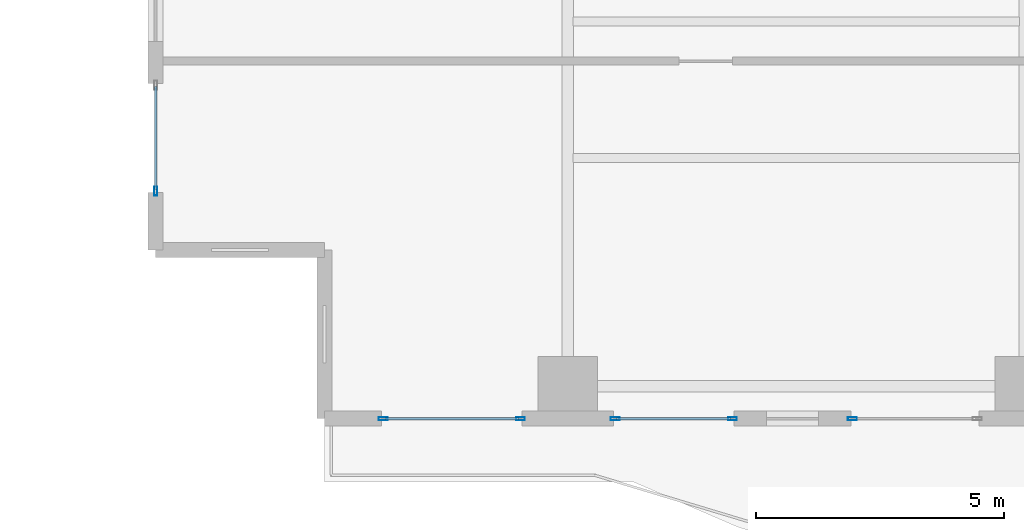
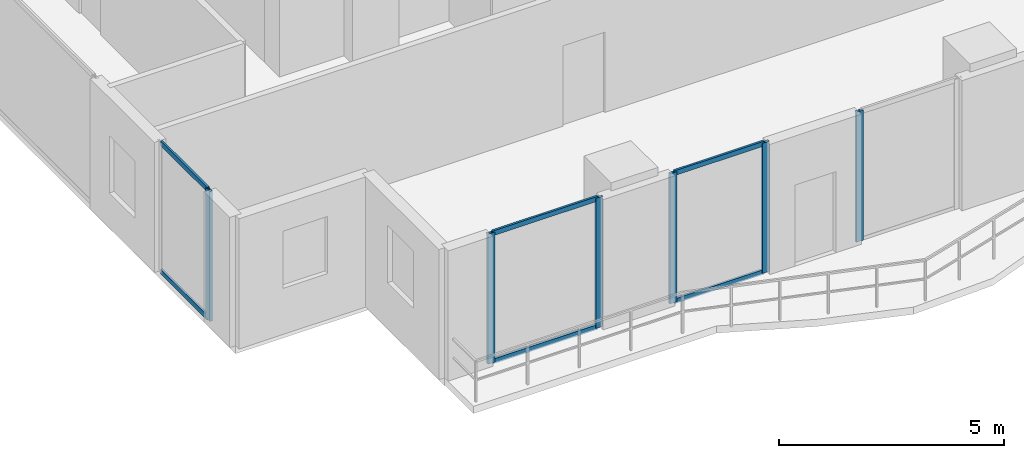
# One storey, part 2 of 33: 12 members, 4 elements without a shape of their own.
"""IFC4 building model written with IfcOpenShell, lengths in metres."""

from ifc_helpers import new_model, si_unit, direction, frame, origin, origin_2d, place, context, subcontext, project, spatial, hollow_rectangle, extrude, material, layer, layer_set, material_profile, profile_set, type_object, element, aggregate, save


model = new_model("IFC4")

# Units and contexts
model_context = context("Model", 3, precision=1e-05, world=origin(), true_north=direction((0.0, 1.0)))
body_context = subcontext(model_context, "Body", "Model", "MODEL_VIEW")
ifc_project = project(units=[si_unit("LENGTHUNIT", "METRE"), si_unit("AREAUNIT", "SQUARE_METRE"), si_unit("VOLUMEUNIT", "CUBIC_METRE"), si_unit("PLANEANGLEUNIT", "RADIAN"), si_unit("MASSUNIT", "GRAM", prefix="KILO")], contexts=[model_context])

# Site, building, storey
site_placement = place(None, origin())
site = spatial("IfcSite", under=ifc_project, at=site_placement, CompositionType="ELEMENT")
building_placement = place(site_placement, origin())
building = spatial("IfcBuilding", under=site, at=building_placement, Name="Zuhayl Quay Hotel", CompositionType="ELEMENT")
storey_placement = place(building_placement, frame((0.0, 0.0, 214.89990234375)))
storey = spatial("IfcBuildingStorey", under=building, at=storey_placement, Name="L54", CompositionType="ELEMENT", Elevation=214.89990234375)

# Curtain wall, member
ifc_material_1 = material(Name="Anodised Aluminium 6063-T6", Category="aluminium")
ifc_layer = layer(ifc_material_1, 0.175048828125, Name="Anodised Aluminium 6063-T6", Category="aluminium")
ifc_layer_set = layer_set([ifc_layer], Name="Anodised Aluminium 6063-T6")
curtain_wall_type = type_object("IfcCurtainWallType", Name="CW_SYS_Z3", PredefinedType="USERDEFINED", material=ifc_layer_set)
curtain_wall_1_placement = place(storey_placement, origin())
curtain_wall_1 = element("IfcCurtainWall", 1, at=curtain_wall_1_placement, inside=storey, type_object=curtain_wall_type, Name="L54 Curtain Wall ENV_L54_E02_CW1", ObjectType="UNITISED CURTAIN WALL", PredefinedType="USERDEFINED")
ifc_material_2 = material(Name="Black-anodised aluminium 6063-T6", Category="aluminium")
ifc_material_profile_1 = material_profile(ifc_material_2, hollow_rectangle(XDim=0.06494140625, YDim=0.179931640625, WallThickness=0.00341796875, at=origin_2d()), Name="ALU180X65")
ifc_profile_set_1 = profile_set([ifc_material_profile_1], Name="Black-anodised aluminium 6063-T6")
member_type_1 = type_object("IfcMemberType", Name="MB_CW_MUL_180", PredefinedType="MULLION", material=ifc_profile_set_1)
member_1_placement = place(storey_placement, frame((-22.10009765625, -3.017578125, 0.0), z_axis=(0.0, 0.0, 1.0), x_axis=(-1.0, 0.0, 0.0)))
member_1 = element("IfcMember", 2, at=member_1_placement, type_object=member_type_1, Name="CW-Z3 mullion 1", PredefinedType="MULLION", context=body_context, shape_type="SweptSolid", body=[
    extrude(hollow_rectangle(XDim=0.06494140625, YDim=0.179931640625, WallThickness=0.00341796875, at=origin_2d()), origin(), (0.0, 0.0, 1.0), 3.530029296875),
])

curtain_wall_2_placement = place(storey_placement, origin())
curtain_wall_2 = element("IfcCurtainWall", 3, at=curtain_wall_2_placement, inside=storey, type_object=curtain_wall_type, Name="L54 Curtain Wall ENV_L54_S_CW5", ObjectType="UNITISED CURTAIN WALL", PredefinedType="USERDEFINED")
member_2_placement = place(storey_placement, frame((-8.0673828125, -7.60009765625, 0.0), z_axis=(0.0, 0.0, 1.0), x_axis=(0.0, -1.0, 0.0)))
member_2 = element("IfcMember", 4, at=member_2_placement, type_object=member_type_1, Name="CW-Z3 mullion 2", PredefinedType="MULLION", context=body_context, shape_type="SweptSolid", body=[
    extrude(hollow_rectangle(XDim=0.06494140625, YDim=0.179931640625, WallThickness=0.00341796875, at=origin_2d()), origin(), (0.0, 0.0, 1.0), 3.530029296875),
])
aggregate(curtain_wall_2, [member_2])

# Curtain wall, members
curtain_wall_3_placement = place(storey_placement, origin())
curtain_wall_3 = element("IfcCurtainWall", 5, at=curtain_wall_3_placement, inside=storey, type_object=curtain_wall_type, Name="L54 Curtain Wall ENV_L54_S_CW6", ObjectType="UNITISED CURTAIN WALL", PredefinedType="USERDEFINED")
member_3_placement = place(storey_placement, frame((-10.482421875, -7.60009765625, 0.0), z_axis=(0.0, 0.0, 1.0), x_axis=(0.0, -1.0, 0.0)))
member_3 = element("IfcMember", 6, at=member_3_placement, type_object=member_type_1, Name="CW-Z3 mullion 1", PredefinedType="MULLION", context=body_context, shape_type="SweptSolid", body=[
    extrude(hollow_rectangle(XDim=0.06494140625, YDim=0.179931640625, WallThickness=0.00341796875, at=origin_2d()), origin(), (0.0, 0.0, 1.0), 3.530029296875),
])
member_4_placement = place(storey_placement, frame((-12.847412109375, -7.60009765625, 0.0), z_axis=(0.0, 0.0, 1.0), x_axis=(0.0, -1.0, 0.0)))
member_4 = element("IfcMember", 7, at=member_4_placement, type_object=member_type_1, Name="CW-Z3 mullion 2", PredefinedType="MULLION", context=body_context, shape_type="SweptSolid", body=[
    extrude(hollow_rectangle(XDim=0.06494140625, YDim=0.179931640625, WallThickness=0.00341796875, at=origin_2d()), origin(), (0.0, 0.0, 1.0), 3.530029296875),
])

curtain_wall_4_placement = place(storey_placement, origin())
curtain_wall_4 = element("IfcCurtainWall", 8, at=curtain_wall_4_placement, inside=storey, type_object=curtain_wall_type, Name="L54 Curtain Wall ENV_L54_S_CW7", ObjectType="UNITISED CURTAIN WALL", PredefinedType="USERDEFINED")
member_5_placement = place(storey_placement, frame((-14.75244140625, -7.60009765625, 0.0), z_axis=(0.0, 0.0, 1.0), x_axis=(0.0, -1.0, 0.0)))
member_5 = element("IfcMember", 9, at=member_5_placement, type_object=member_type_1, Name="CW-Z3 mullion 1", PredefinedType="MULLION", context=body_context, shape_type="SweptSolid", body=[
    extrude(hollow_rectangle(XDim=0.06494140625, YDim=0.179931640625, WallThickness=0.00341796875, at=origin_2d()), origin(), (0.0, 0.0, 1.0), 3.530029296875),
])
member_6_placement = place(storey_placement, frame((-17.517578125, -7.60009765625, 0.0), z_axis=(0.0, 0.0, 1.0), x_axis=(0.0, -1.0, 0.0)))
member_6 = element("IfcMember", 10, at=member_6_placement, type_object=member_type_1, Name="CW-Z3 mullion 2", PredefinedType="MULLION", context=body_context, shape_type="SweptSolid", body=[
    extrude(hollow_rectangle(XDim=0.06494140625, YDim=0.179931640625, WallThickness=0.00341796875, at=origin_2d()), origin(), (0.0, 0.0, 1.0), 3.530029296875),
])

# Member
ifc_material_profile_2 = material_profile(ifc_material_2, hollow_rectangle(XDim=0.054931640625, YDim=0.1298828125, WallThickness=0.0029296875, at=origin_2d()), Name="ALU130X55")
ifc_profile_set_2 = profile_set([ifc_material_profile_2], Name="Black-anodised aluminium 6063-T6")
member_type_2 = type_object("IfcMemberType", Name="MB_CW_TRN_130", PredefinedType="USERDEFINED", material=ifc_profile_set_2)
member_7_placement = place(storey_placement, frame((-22.10009765625, -2.985107421875, 0.027587890625), z_axis=(0.0, 1.0, 0.0), x_axis=(-1.0, 0.0, 0.0)))
member_7 = element("IfcMember", 11, at=member_7_placement, type_object=member_type_2, Name="CW-Z3 transom 1.1", ObjectType="TRANSOM", PredefinedType="USERDEFINED", context=body_context, shape_type="SweptSolid", body=[
    extrude(hollow_rectangle(XDim=0.054931640625, YDim=0.1298828125, WallThickness=0.0029296875, at=origin_2d()), origin(), (0.0, 0.0, 1.0), 2.070068359375),
])

member_8_placement = place(storey_placement, frame((-22.10009765625, -2.985107421875, 3.502685546875), z_axis=(0.0, 1.0, 0.0), x_axis=(-1.0, 0.0, 0.0)))
member_8 = element("IfcMember", 12, at=member_8_placement, type_object=member_type_2, Name="CW-Z3 transom 1.2", ObjectType="TRANSOM", PredefinedType="USERDEFINED", context=body_context, shape_type="SweptSolid", body=[
    extrude(hollow_rectangle(XDim=0.054931640625, YDim=0.1298828125, WallThickness=0.0029296875, at=origin_2d()), origin(), (0.0, 0.0, 1.0), 2.070068359375),
])

aggregate(curtain_wall_1, [member_1, member_7, member_8])

member_9_placement = place(storey_placement, frame((-10.514892578125, -7.60009765625, 0.027587890625), z_axis=(-1.0, 0.0, 0.0), x_axis=(0.0, -1.0, 0.0)))
member_9 = element("IfcMember", 13, at=member_9_placement, type_object=member_type_2, Name="CW-Z3 transom 1.1", ObjectType="TRANSOM", PredefinedType="USERDEFINED", context=body_context, shape_type="SweptSolid", body=[
    extrude(hollow_rectangle(XDim=0.054931640625, YDim=0.1298828125, WallThickness=0.0029296875, at=origin_2d()), origin(), (0.0, 0.0, 1.0), 2.300048828125),
])

member_10_placement = place(storey_placement, frame((-10.514892578125, -7.60009765625, 3.502685546875), z_axis=(-1.0, 0.0, 0.0), x_axis=(0.0, -1.0, 0.0)))
member_10 = element("IfcMember", 14, at=member_10_placement, type_object=member_type_2, Name="CW-Z3 transom 1.2", ObjectType="TRANSOM", PredefinedType="USERDEFINED", context=body_context, shape_type="SweptSolid", body=[
    extrude(hollow_rectangle(XDim=0.054931640625, YDim=0.1298828125, WallThickness=0.0029296875, at=origin_2d()), origin(), (0.0, 0.0, 1.0), 2.300048828125),
])

aggregate(curtain_wall_3, [member_3, member_4, member_9, member_10])

member_11_placement = place(storey_placement, frame((-14.784912109375, -7.60009765625, 0.027587890625), z_axis=(-1.0, 0.0, 0.0), x_axis=(0.0, -1.0, 0.0)))
member_11 = element("IfcMember", 15, at=member_11_placement, type_object=member_type_2, Name="CW-Z3 transom 1.1", ObjectType="TRANSOM", PredefinedType="USERDEFINED", context=body_context, shape_type="SweptSolid", body=[
    extrude(hollow_rectangle(XDim=0.054931640625, YDim=0.1298828125, WallThickness=0.0029296875, at=origin_2d()), origin(), (0.0, 0.0, 1.0), 2.7001953125),
])

member_12_placement = place(storey_placement, frame((-14.784912109375, -7.60009765625, 3.502685546875), z_axis=(-1.0, 0.0, 0.0), x_axis=(0.0, -1.0, 0.0)))
member_12 = element("IfcMember", 16, at=member_12_placement, type_object=member_type_2, Name="CW-Z3 transom 1.2", ObjectType="TRANSOM", PredefinedType="USERDEFINED", context=body_context, shape_type="SweptSolid", body=[
    extrude(hollow_rectangle(XDim=0.054931640625, YDim=0.1298828125, WallThickness=0.0029296875, at=origin_2d()), origin(), (0.0, 0.0, 1.0), 2.7001953125),
])

aggregate(curtain_wall_4, [member_5, member_6, member_11, member_12])

save(model, "model.ifc")
